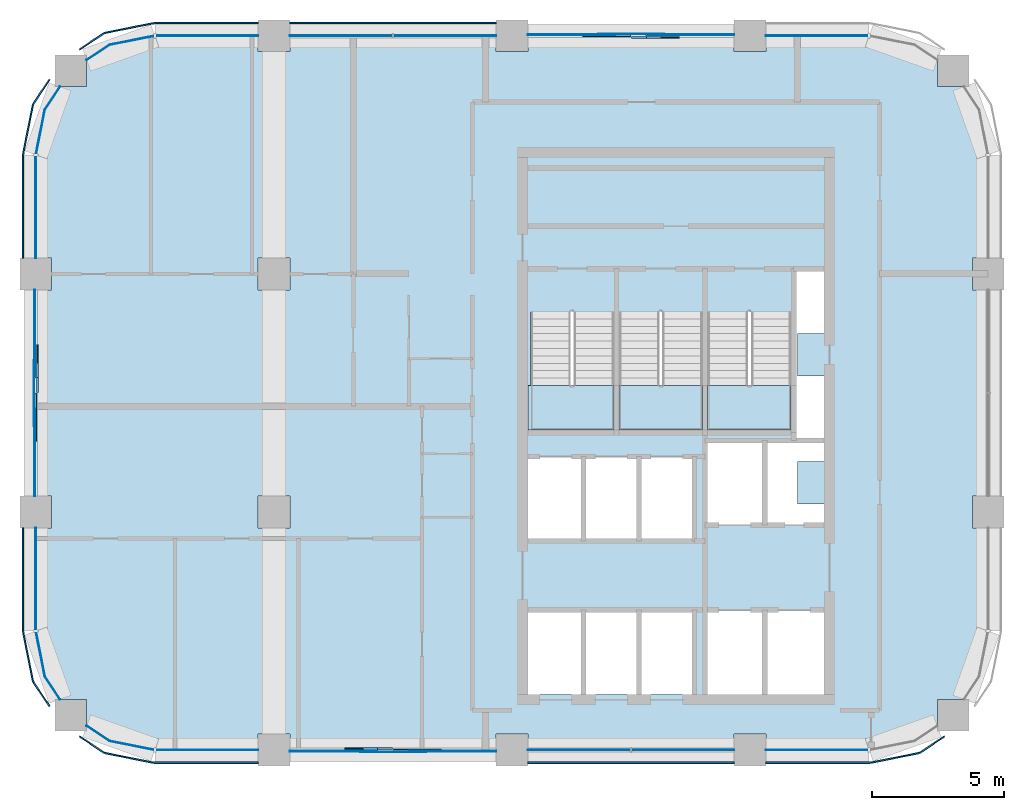
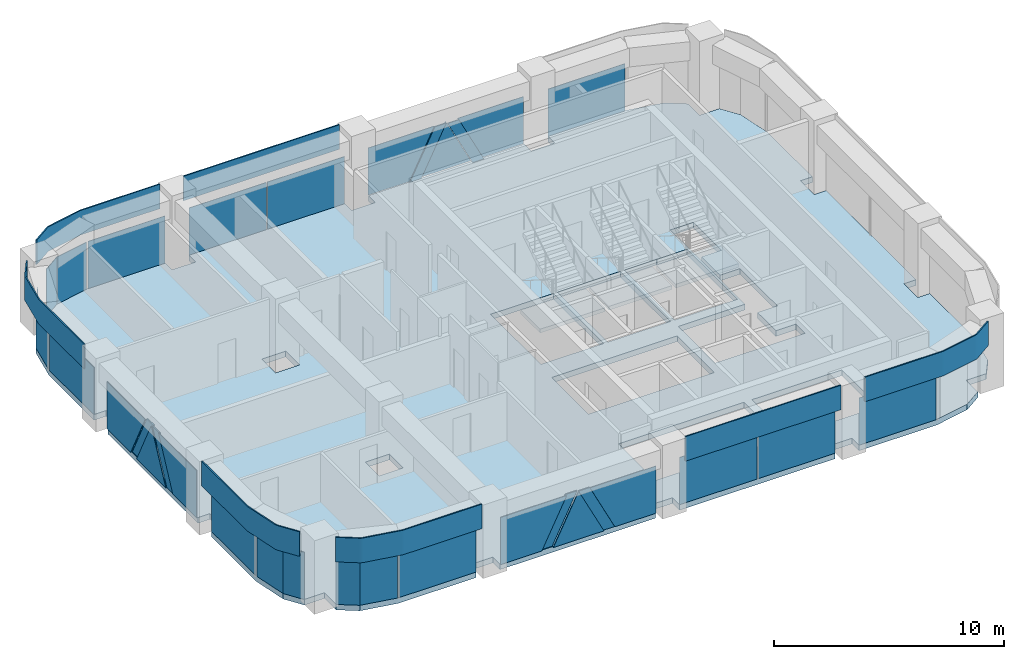
# One storey, part 6 of 10: 36 plates, 4 slabs, 14 elements without a shape of their own.
"""IFC4 building model written with IfcOpenShell, lengths in metres."""

import ifcopenshell
import ifcopenshell.guid

model = None  # the IFC model being written
_history = None  # IfcOwnerHistory: only IFC2X3 demands one
_inside = {}  # id of a spatial element -> (the spatial element, [elements in it])
_under = {}  # id of a project, library or spatial element -> (it, [spatial elements below it])
_declared = {}  # id of a project -> (the project, [libraries it declares])
_typed = {}  # id of a type object -> (the type object, [elements of that type])
_made_of = {}  # id of a material, layer set ... -> (it, [elements and type objects made of it])


def new_model(schema):
    """Start an empty IFC model of exactly this schema.

    Asked for "IFC4X3", IfcOpenShell would pick the latest addendum, in which some entities
    have other attributes; the version numbers below select the first issue.
    IFC2X3 requires an IfcOwnerHistory on every rooted entity: one is made here for all.
    """
    global model, _history
    if schema == "IFC4X3":
        model = ifcopenshell.file(schema_version=(4, 3, 0, 0))
    else:
        model = ifcopenshell.file(schema=schema)
    _inside.clear()
    _under.clear()
    _declared.clear()
    _typed.clear()
    _made_of.clear()
    _history = None
    if model.schema == "IFC2X3":
        org = make("IfcOrganization", Name="unknown")
        user = make(
            "IfcPersonAndOrganization",
            ThePerson=make("IfcPerson", FamilyName="unknown"),
            TheOrganization=org,
        )
        app = make(
            "IfcApplication",
            ApplicationDeveloper=org,
            Version="unknown",
            ApplicationFullName="unknown",
            ApplicationIdentifier="unknown",
        )
        _history = make(
            "IfcOwnerHistory",
            OwningUser=user,
            OwningApplication=app,
            ChangeAction="ADDED",
            CreationDate=0,
        )
    return model


def make(cls, **values):
    """One entity of the class cls with the attributes given. An attribute that is None is left unset."""
    return model.create_entity(
        cls, **{name: value for name, value in values.items() if value is not None}
    )


def rooted(cls, **values):
    """An entity with a GlobalId (a new one), such as an element, a storey or a relation."""
    return make(cls, GlobalId=ifcopenshell.guid.new(), OwnerHistory=_history, **values)


def si_unit(unit_type, name, prefix=None):
    """IfcSIUnit, for example si_unit("LENGTHUNIT", "METRE", prefix="MILLI")."""
    return make("IfcSIUnit", UnitType=unit_type, Prefix=prefix, Name=name)


def assignment(units):
    """IfcUnitAssignment: the units of a project."""
    return None if units is None else make("IfcUnitAssignment", Units=units)


def point(xyz):
    """IfcCartesianPoint."""
    return None if xyz is None else make("IfcCartesianPoint", Coordinates=xyz)


def direction(xyz):
    """IfcDirection."""
    return None if xyz is None else make("IfcDirection", DirectionRatios=xyz)


def frame(location, z_axis=None, x_axis=None):
    """IfcAxis2Placement3D, a coordinate frame: its origin and axes. An axis left out is left unset."""
    return make(
        "IfcAxis2Placement3D",
        Location=point(location),
        Axis=direction(z_axis),
        RefDirection=direction(x_axis),
    )


def frame_2d(location, x_axis=None):
    """IfcAxis2Placement2D, a coordinate frame in the plane: its origin and x axis."""
    return make(
        "IfcAxis2Placement2D", Location=point(location), RefDirection=direction(x_axis)
    )


def origin():
    """The frame at (0, 0, 0) with its axes left unset."""
    return frame((0.0, 0.0, 0.0))


def origin_2d():
    """The frame at (0, 0) in the plane with its x axis left unset."""
    return frame_2d((0.0, 0.0))


def place(relative_to, where):
    """IfcLocalPlacement: puts the frame where relative to a parent placement (None: the world)."""
    return make(
        "IfcLocalPlacement", PlacementRelTo=relative_to, RelativePlacement=where
    )


def context(
    kind, dimensions, precision=None, world=None, true_north=None, identifier=None
):
    """IfcGeometricRepresentationContext, for example the 3D "Model" context."""
    return make(
        "IfcGeometricRepresentationContext",
        ContextIdentifier=identifier,
        ContextType=kind,
        CoordinateSpaceDimension=dimensions,
        Precision=precision,
        WorldCoordinateSystem=world,
        TrueNorth=true_north,
    )


def subcontext(parent, identifier, kind, view, scale=None):
    """IfcGeometricRepresentationSubContext, for example "Body" below "Model"."""
    return make(
        "IfcGeometricRepresentationSubContext",
        ContextIdentifier=identifier,
        ContextType=kind,
        ParentContext=parent,
        TargetScale=scale,
        TargetView=view,
    )


def project(units=None, contexts=None):
    """IfcProject with its units and contexts."""
    return rooted(
        "IfcProject",
        Name="project",
        RepresentationContexts=contexts,
        UnitsInContext=assignment(units),
    )


def spatial(cls, under=None, at=None, **own):
    """A site, building, storey or space (cls), placed at a placement, below another one or the project."""
    s = rooted(cls, ObjectPlacement=at, **own)
    if under is not None:
        _under.setdefault(under.id(), (under, []))[1].append(s)
    return s


def polyline(points):
    """IfcPolyline through the points."""
    return make("IfcPolyline", Points=[point(p) for p in points])


def profile(cls, at=None, kind="AREA", **sizes):
    """A parametric profile (cls). Its sizes go by their IFC names, for example OverallWidth=200.0."""
    return make(cls, ProfileType=kind, Position=at, **sizes)


def rectangle(**sizes):
    """IfcRectangleProfileDef."""
    return profile("IfcRectangleProfileDef", **sizes)


def outline(outer, holes=None, kind="AREA"):
    """IfcArbitraryClosedProfileDef: a profile drawn as a closed curve; with holes, ...WithVoids."""
    if holes is None:
        return make("IfcArbitraryClosedProfileDef", ProfileType=kind, OuterCurve=outer)
    return make(
        "IfcArbitraryProfileDefWithVoids",
        ProfileType=kind,
        OuterCurve=outer,
        InnerCurves=holes,
    )


def extrude(swept, where, along, depth):
    """IfcExtrudedAreaSolid: the profile swept, set in the frame where, extruded along a direction by depth."""
    return make(
        "IfcExtrudedAreaSolid",
        SweptArea=swept,
        Position=where,
        ExtrudedDirection=direction(along),
        Depth=depth,
    )


def shape(context_of_items, identifier, shape_type, items):
    """IfcShapeRepresentation: the items that make up one representation, for example the "Body"."""
    return make(
        "IfcShapeRepresentation",
        ContextOfItems=context_of_items,
        RepresentationIdentifier=identifier,
        RepresentationType=shape_type,
        Items=items,
    )


def material(Name=None, Category=None):
    """IfcMaterial."""
    return make("IfcMaterial", Name=Name, Category=Category)


def layer(
    of_material, thickness, ventilated=None, Name=None, Category=None, Priority=None
):
    """IfcMaterialLayer: one layer of a wall or slab, of a material (None: an air gap)."""
    return make(
        "IfcMaterialLayer",
        Material=of_material,
        LayerThickness=thickness,
        IsVentilated=ventilated,
        Name=Name,
        Category=Category,
        Priority=Priority,
    )


def layer_set(layers, Name=None):
    """IfcMaterialLayerSet."""
    return make("IfcMaterialLayerSet", MaterialLayers=layers, LayerSetName=Name)


def made_of(thing, what):
    """Note that an element or type object is made of a material, layer set ...; save() writes the relation."""
    if what is not None:
        _made_of.setdefault(what.id(), (what, []))[1].append(thing)
    return thing


def type_object(cls, material=None, **own):
    """A type object (cls), such as IfcWallType, which elements share."""
    return made_of(rooted(cls, **own), material)


def element(
    cls,
    number,
    at=None,
    inside=None,
    cuts=None,
    type_object=None,
    material=None,
    context=None,
    identifier="Body",
    shape_type=None,
    held_by="IfcProductDefinitionShape",
    body=None,
    shapes=None,
    **own,
):
    """One element of the class cls, such as IfcWall. Its Tag is "e" and its number.

    at: its placement. inside: the storey or other place that contains it. cuts: it is an
    opening in that element (IfcRelVoidsElement). A single representation is given by context,
    identifier, shape_type and body (its items); several are given by shapes. held_by: the class
    of the entity that holds the representations. save() writes the other relations.
    """
    e = rooted(cls, Tag="e%d" % number, ObjectPlacement=at, **own)
    if body is not None:
        shapes = [shape(context, identifier, shape_type, body)]
    if shapes is not None:
        e.Representation = make(held_by, Representations=shapes)
    if inside is not None:
        _inside.setdefault(inside.id(), (inside, []))[1].append(e)
    if cuts is not None:
        rooted(
            "IfcRelVoidsElement", RelatingBuildingElement=cuts, RelatedOpeningElement=e
        )
    if type_object is not None:
        _typed.setdefault(type_object.id(), (type_object, []))[1].append(e)
    return made_of(e, material)


def aggregate(whole, parts):
    """IfcRelAggregates: a whole, such as a stair, and the parts it consists of."""
    return rooted("IfcRelAggregates", RelatingObject=whole, RelatedObjects=parts)


def save(model, path):
    """Write the relations noted so far, then the file.

    IfcRelAggregates (storeys below a building ...), IfcRelContainedInSpatialStructure (elements
    in a storey), IfcRelDefinesByType, IfcRelAssociatesMaterial and IfcRelDeclares: one each for
    every whole, place, type object, material and project.
    """
    for whole, parts in _under.values():
        aggregate(whole, parts)
    for where, things in _inside.values():
        rooted(
            "IfcRelContainedInSpatialStructure",
            RelatedElements=things,
            RelatingStructure=where,
        )
    for kind, things in _typed.values():
        rooted("IfcRelDefinesByType", RelatedObjects=things, RelatingType=kind)
    for what, things in _made_of.values():
        rooted("IfcRelAssociatesMaterial", RelatedObjects=things, RelatingMaterial=what)
    for by, libraries in _declared.values():
        rooted("IfcRelDeclares", RelatingContext=by, RelatedDefinitions=libraries)
    model.write(path)


model = new_model("IFC4")

# Units and contexts
model_context = context("Model", 3, precision=1e-05, world=origin(), true_north=direction((0.0, 1.0)))
body_context = subcontext(model_context, "Body", "Model", "MODEL_VIEW")
ifc_project = project(units=[si_unit("LENGTHUNIT", "METRE"), si_unit("AREAUNIT", "SQUARE_METRE"), si_unit("VOLUMEUNIT", "CUBIC_METRE"), si_unit("PLANEANGLEUNIT", "RADIAN"), si_unit("MASSUNIT", "GRAM", prefix="KILO")], contexts=[model_context])

# Site, building, storey
site_placement = place(None, origin())
site = spatial("IfcSite", under=ifc_project, at=site_placement, CompositionType="ELEMENT")
building_placement = place(site_placement, origin())
building = spatial("IfcBuilding", under=site, at=building_placement, Name="Tessera Arch", CompositionType="ELEMENT")
storey_placement = place(building_placement, frame((0.0, 0.0, 254.0)))
storey = spatial("IfcBuildingStorey", under=building, at=storey_placement, Name="L61", CompositionType="ELEMENT", Elevation=254.0)

# Curtain wall, plates
ifc_material_1 = material(Name="CW1 curtain wall")
curtain_wall_type_1 = type_object("IfcCurtainWallType", Name="CW1 curtain wall", PredefinedType="NOTDEFINED", material=ifc_material_1)
curtain_wall_1_placement = place(storey_placement, origin())
curtain_wall_1 = element("IfcCurtainWall", 1, at=curtain_wall_1_placement, inside=storey, type_object=curtain_wall_type_1, Name="CW1 curtain wall N54.18/2 L61", PredefinedType="NOTDEFINED")
ifc_material_2 = material(Name="Clear low-e glass", Category="glass")
ifc_material_3 = material(Name="Clear low-e glass", Category="glass")
ifc_layer_1 = layer(ifc_material_3, 0.028076171875)
ifc_layer_set_1 = layer_set([ifc_layer_1], Name="CW1 glass panel")
plate_type_1 = type_object("IfcPlateType", Name="CW1 glass panel", PredefinedType="CURTAIN_PANEL", material=ifc_layer_set_1)
plate_1_placement = place(storey_placement, frame((33.465087890625, 54.0, 0.0), z_axis=(0.0, 0.0, 1.0), x_axis=(-1.0, 0.0, 0.0)))
plate_1 = element("IfcPlate", 2, at=plate_1_placement, type_object=plate_type_1, material=ifc_material_2, Name="CW1 glass panel N54.18/2 1.1.1", PredefinedType="CURTAIN_PANEL", context=body_context, shape_type="SweptSolid", body=[
    extrude(rectangle(XDim=3.8701171875, YDim=0.028076171875, at=origin_2d()), origin(), (0.0, 0.0, 1.0), 2.5),
])
plate_2_placement = place(storey_placement, frame((29.534912109375, 54.0, 0.0), z_axis=(0.0, 0.0, 1.0), x_axis=(-1.0, 0.0, 0.0)))
plate_2 = element("IfcPlate", 3, at=plate_2_placement, type_object=plate_type_1, material=ifc_material_2, Name="CW1 glass panel N54.18/2 1.2.1", PredefinedType="CURTAIN_PANEL", context=body_context, shape_type="SweptSolid", body=[
    extrude(rectangle(XDim=3.8701171875, YDim=0.028076171875, at=origin_2d()), origin(), (0.0, 0.0, 1.0), 2.5),
])

curtain_wall_2_placement = place(storey_placement, origin())
curtain_wall_2 = element("IfcCurtainWall", 4, at=curtain_wall_2_placement, inside=storey, type_object=curtain_wall_type_1, Name="CW1 curtain wall S27.18/2 L61", PredefinedType="NOTDEFINED")
plate_3_placement = place(storey_placement, frame((38.534912109375, 27.0, 0.0), z_axis=(0.0, 0.0, 1.0), x_axis=(1.0, 0.0, 0.0)))
plate_3 = element("IfcPlate", 5, at=plate_3_placement, type_object=plate_type_1, material=ifc_material_2, Name="CW1 glass panel S27.18/2 1.1.1", PredefinedType="CURTAIN_PANEL", context=body_context, shape_type="SweptSolid", body=[
    extrude(rectangle(XDim=3.8701171875, YDim=0.028076171875, at=origin_2d()), origin(), (0.0, 0.0, 1.0), 2.5),
])
plate_4_placement = place(storey_placement, frame((42.465087890625, 27.0, 0.0), z_axis=(0.0, 0.0, 1.0), x_axis=(1.0, 0.0, 0.0)))
plate_4 = element("IfcPlate", 6, at=plate_4_placement, type_object=plate_type_1, material=ifc_material_2, Name="CW1 glass panel S27.18/2 1.2.1", PredefinedType="CURTAIN_PANEL", context=body_context, shape_type="SweptSolid", body=[
    extrude(rectangle(XDim=3.8701171875, YDim=0.028076171875, at=origin_2d()), origin(), (0.0, 0.0, 1.0), 2.5),
])

# Plate
ifc_material_4 = material(Name="Pale anodised aluminium panel", Category="aluminium")
ifc_layer_2 = layer(ifc_material_4, 0.06005859375)
ifc_layer_set_2 = layer_set([ifc_layer_2], Name="CW1 spandrel panel")
plate_type_2 = type_object("IfcPlateType", Name="CW1 spandrel panel", PredefinedType="CURTAIN_PANEL", material=ifc_layer_set_2)
plate_5_placement = place(storey_placement, frame((31.5, 54.47998046875, 2.60009765625), z_axis=(0.0, 0.0, 1.0), x_axis=(-1.0, 0.0, 0.0)))
plate_5 = element("IfcPlate", 7, at=plate_5_placement, type_object=plate_type_2, Name="CW1 spandrel panel N54.18/2", PredefinedType="CURTAIN_PANEL", context=body_context, shape_type="SweptSolid", body=[
    extrude(rectangle(XDim=7.800048828125, YDim=0.06005859375, at=origin_2d()), origin(), (0.0, 0.0, 1.0), 1.300048828125),
])

aggregate(curtain_wall_1, [plate_1, plate_2, plate_5])

plate_6_placement = place(storey_placement, frame((40.5, 26.52001953125, 2.60009765625), z_axis=(0.0, 0.0, 1.0), x_axis=(1.0, 0.0, 0.0)))
plate_6 = element("IfcPlate", 8, at=plate_6_placement, type_object=plate_type_2, Name="CW1 spandrel panel S27.18/2", PredefinedType="CURTAIN_PANEL", context=body_context, shape_type="SweptSolid", body=[
    extrude(rectangle(XDim=7.800048828125, YDim=0.06005859375, at=origin_2d()), origin(), (0.0, 0.0, 1.0), 1.300048828125),
])

aggregate(curtain_wall_2, [plate_3, plate_4, plate_6])

# Curtain wall, plate
ifc_material_5 = material(Name="CW2 curtain wall")
curtain_wall_type_2 = type_object("IfcCurtainWallType", Name="CW2 curtain wall", PredefinedType="NOTDEFINED", material=ifc_material_5)
curtain_wall_3_placement = place(storey_placement, origin())
curtain_wall_3 = element("IfcCurtainWall", 9, at=curtain_wall_3_placement, inside=storey, type_object=curtain_wall_type_2, Name="CW2 curtain wall N54.18/0 L61", PredefinedType="NOTDEFINED")
ifc_material_6 = material(Name="Clear low-e glass", Category="glass")
ifc_layer_3 = layer(ifc_material_6, 0.028076171875)
ifc_layer_set_3 = layer_set([ifc_layer_3], Name="CW2 glass panel")
plate_type_3 = type_object("IfcPlateType", Name="CW2 glass panel", PredefinedType="CURTAIN_PANEL", material=ifc_layer_set_3)
plate_7_placement = place(storey_placement, frame((47.530029296875, 54.0, 0.0), z_axis=(0.0, 0.0, 1.0), x_axis=(-1.0, 0.0, 0.0)))
plate_7 = element("IfcPlate", 10, at=plate_7_placement, type_object=plate_type_3, material=ifc_material_2, Name="CW2 glass panel N54.18/0 1.1", PredefinedType="CURTAIN_PANEL", context=body_context, shape_type="SweptSolid", body=[
    extrude(rectangle(XDim=3.860107421875, YDim=0.028076171875, at=origin_2d()), origin(), (0.0, 0.0, 1.0), 2.5),
])
aggregate(curtain_wall_3, [plate_7])

# Curtain wall, plates
curtain_wall_4_placement = place(storey_placement, origin())
curtain_wall_4 = element("IfcCurtainWall", 11, at=curtain_wall_4_placement, inside=storey, type_object=curtain_wall_type_2, Name="CW2 curtain wall N54.18/3 L61", PredefinedType="NOTDEFINED")
plate_8_placement = place(storey_placement, frame((24.469970703125, 54.0, 0.0), z_axis=(0.0, 0.0, 1.0), x_axis=(-1.0, 0.0, 0.0)))
plate_8 = element("IfcPlate", 12, at=plate_8_placement, type_object=plate_type_3, material=ifc_material_2, Name="CW2 glass panel N54.18/3 1.1", PredefinedType="CURTAIN_PANEL", context=body_context, shape_type="SweptSolid", body=[
    extrude(rectangle(XDim=3.860107421875, YDim=0.028076171875, at=origin_2d()), origin(), (0.0, 0.0, 1.0), 2.5),
])
plate_9_placement = place(storey_placement, origin())
plate_9 = element("IfcPlate", 13, at=plate_9_placement, type_object=plate_type_3, material=ifc_material_2, Name="CW2 curved glass panel N54.18/3 2.1", PredefinedType="CURTAIN_PANEL", context=body_context, shape_type="SweptSolid", body=[
    extrude(outline(polyline([(20.783447265625, 53.644287109375), (22.46337890625, 53.978515625), (22.4580078125, 54.005859375), (20.7724609375, 53.670654296875), (19.91015625, 53.094482421875), (19.92578125, 53.0712890625), (20.783447265625, 53.644287109375)])), origin(), (0.0, 0.0, 1.0), 2.5),
])

curtain_wall_5_placement = place(storey_placement, origin())
curtain_wall_5 = element("IfcCurtainWall", 14, at=curtain_wall_5_placement, inside=storey, type_object=curtain_wall_type_2, Name="CW2 curtain wall W18.27/0 L61", PredefinedType="NOTDEFINED")
plate_10_placement = place(storey_placement, frame((18.0, 47.530029296875, 0.0), z_axis=(0.0, 0.0, 1.0), x_axis=(0.0, -1.0, 0.0)))
plate_10 = element("IfcPlate", 15, at=plate_10_placement, type_object=plate_type_3, material=ifc_material_2, Name="CW2 glass panel W18.27/0 1.1", PredefinedType="CURTAIN_PANEL", context=body_context, shape_type="SweptSolid", body=[
    extrude(rectangle(XDim=3.860107421875, YDim=0.028076171875, at=origin_2d()), origin(), (0.0, 0.0, 1.0), 2.5),
])
plate_11_placement = place(storey_placement, origin())
plate_11 = element("IfcPlate", 16, at=plate_11_placement, type_object=plate_type_3, material=ifc_material_2, Name="CW2 curved glass panel W18.27/0 2.1", PredefinedType="CURTAIN_PANEL", context=body_context, shape_type="SweptSolid", body=[
    extrude(outline(polyline([(18.355712890625, 51.216552734375), (18.9287109375, 52.07421875), (18.905517578125, 52.08984375), (18.329345703125, 51.2275390625), (17.994140625, 49.5419921875), (18.021484375, 49.53662109375), (18.355712890625, 51.216552734375)])), origin(), (0.0, 0.0, 1.0), 2.5),
])

curtain_wall_6_placement = place(storey_placement, origin())
curtain_wall_6 = element("IfcCurtainWall", 17, at=curtain_wall_6_placement, inside=storey, type_object=curtain_wall_type_2, Name="CW2 curtain wall W18.27/2 L61", PredefinedType="NOTDEFINED")
plate_12_placement = place(storey_placement, frame((18.0, 33.469970703125, 0.0), z_axis=(0.0, 0.0, 1.0), x_axis=(0.0, -1.0, 0.0)))
plate_12 = element("IfcPlate", 18, at=plate_12_placement, type_object=plate_type_3, material=ifc_material_2, Name="CW2 glass panel W18.27/2 1.1", PredefinedType="CURTAIN_PANEL", context=body_context, shape_type="SweptSolid", body=[
    extrude(rectangle(XDim=3.860107421875, YDim=0.028076171875, at=origin_2d()), origin(), (0.0, 0.0, 1.0), 2.5),
])
plate_13_placement = place(storey_placement, origin())
plate_13 = element("IfcPlate", 19, at=plate_13_placement, type_object=plate_type_3, material=ifc_material_2, Name="CW2 curved glass panel W18.27/2 2.1", PredefinedType="CURTAIN_PANEL", context=body_context, shape_type="SweptSolid", body=[
    extrude(outline(polyline([(18.355712890625, 29.783447265625), (18.021484375, 31.46337890625), (17.994140625, 31.4580078125), (18.329345703125, 29.7724609375), (18.905517578125, 28.91015625), (18.9287109375, 28.92578125), (18.355712890625, 29.783447265625)])), origin(), (0.0, 0.0, 1.0), 2.5),
])

curtain_wall_7_placement = place(storey_placement, origin())
curtain_wall_7 = element("IfcCurtainWall", 20, at=curtain_wall_7_placement, inside=storey, type_object=curtain_wall_type_2, Name="CW2 curtain wall S27.18/0 L61", PredefinedType="NOTDEFINED")
plate_14_placement = place(storey_placement, frame((24.469970703125, 27.0, 0.0), z_axis=(0.0, 0.0, 1.0), x_axis=(1.0, 0.0, 0.0)))
plate_14 = element("IfcPlate", 21, at=plate_14_placement, type_object=plate_type_3, material=ifc_material_2, Name="CW2 glass panel S27.18/0 1.1", PredefinedType="CURTAIN_PANEL", context=body_context, shape_type="SweptSolid", body=[
    extrude(rectangle(XDim=3.860107421875, YDim=0.028076171875, at=origin_2d()), origin(), (0.0, 0.0, 1.0), 2.5),
])
plate_15_placement = place(storey_placement, origin())
plate_15 = element("IfcPlate", 22, at=plate_15_placement, type_object=plate_type_3, material=ifc_material_2, Name="CW2 curved glass panel S27.18/0 2.1", PredefinedType="CURTAIN_PANEL", context=body_context, shape_type="SweptSolid", body=[
    extrude(outline(polyline([(20.783447265625, 27.355712890625), (19.92578125, 27.9287109375), (19.91015625, 27.905517578125), (20.7724609375, 27.329345703125), (22.4580078125, 26.994140625), (22.46337890625, 27.021484375), (20.783447265625, 27.355712890625)])), origin(), (0.0, 0.0, 1.0), 2.5),
])

# Curtain wall, plate
curtain_wall_8_placement = place(storey_placement, origin())
curtain_wall_8 = element("IfcCurtainWall", 23, at=curtain_wall_8_placement, inside=storey, type_object=curtain_wall_type_2, Name="CW2 curtain wall S27.18/3 L61", PredefinedType="NOTDEFINED")
plate_16_placement = place(storey_placement, frame((47.530029296875, 27.0, 0.0), z_axis=(0.0, 0.0, 1.0), x_axis=(1.0, 0.0, 0.0)))
plate_16 = element("IfcPlate", 24, at=plate_16_placement, type_object=plate_type_3, material=ifc_material_2, Name="CW2 glass panel S27.18/3 1.1", PredefinedType="CURTAIN_PANEL", context=body_context, shape_type="SweptSolid", body=[
    extrude(rectangle(XDim=3.860107421875, YDim=0.028076171875, at=origin_2d()), origin(), (0.0, 0.0, 1.0), 2.5),
])

# Plate
ifc_material_7 = material(Name="Pale anodised aluminium panel", Category="aluminium")
ifc_layer_4 = layer(ifc_material_7, 0.06005859375)
ifc_layer_set_4 = layer_set([ifc_layer_4], Name="CW2 spandrel panel")
plate_type_4 = type_object("IfcPlateType", Name="CW2 spandrel panel", PredefinedType="CURTAIN_PANEL", material=ifc_layer_set_4)
plate_17_placement = place(storey_placement, frame((0.0, 0.0, 2.60009765625)))
plate_17 = element("IfcPlate", 25, at=plate_17_placement, type_object=plate_type_4, Name="CW2 spandrel panel N54.18/3", PredefinedType="CURTAIN_PANEL", context=body_context, shape_type="SweptSolid", body=[
    extrude(outline(polyline([(22.500732421875, 54.449951171875), (26.39990234375, 54.449951171875), (26.39990234375, 54.510009765625), (22.499267578125, 54.510009765625), (22.449951171875, 54.507568359375), (22.401123046875, 54.500244140625), (20.677734375, 54.157470703125), (20.6298828125, 54.1455078125), (20.582763671875, 54.128662109375), (20.537353515625, 54.107421875), (20.4951171875, 54.08203125), (19.634765625, 53.5068359375), (19.66796875, 53.45703125), (20.52734375, 54.03125), (20.565673828125, 54.054443359375), (20.605712890625, 54.0732421875), (20.647216796875, 54.088134765625), (20.69091796875, 54.09912109375), (22.411376953125, 54.441162109375), (22.455810546875, 54.44775390625), (22.500732421875, 54.449951171875)])), origin(), (0.0, 0.0, 1.0), 1.2998046875),
])

aggregate(curtain_wall_4, [plate_8, plate_9, plate_17])

plate_18_placement = place(storey_placement, frame((0.0, 0.0, 2.60009765625)))
plate_18 = element("IfcPlate", 26, at=plate_18_placement, type_object=plate_type_4, Name="CW2 spandrel panel W18.27/0", PredefinedType="CURTAIN_PANEL", context=body_context, shape_type="SweptSolid", body=[
    extrude(outline(polyline([(17.96875, 51.47265625), (18.54296875, 52.33203125), (18.4931640625, 52.365234375), (17.91796875, 51.5048828125), (17.892578125, 51.462646484375), (17.871337890625, 51.417236328125), (17.8544921875, 51.3701171875), (17.842529296875, 51.322265625), (17.499755859375, 49.598876953125), (17.492431640625, 49.550048828125), (17.489990234375, 49.500732421875), (17.489990234375, 45.60009765625), (17.550048828125, 45.60009765625), (17.550048828125, 49.499267578125), (17.55224609375, 49.544189453125), (17.558837890625, 49.588623046875), (17.90087890625, 51.30908203125), (17.911865234375, 51.352783203125), (17.9267578125, 51.394287109375), (17.945556640625, 51.434326171875), (17.96875, 51.47265625)])), origin(), (0.0, 0.0, 1.0), 1.2998046875),
])

aggregate(curtain_wall_5, [plate_10, plate_11, plate_18])

plate_19_placement = place(storey_placement, frame((0.0, 0.0, 2.60009765625)))
plate_19 = element("IfcPlate", 27, at=plate_19_placement, type_object=plate_type_4, Name="CW2 spandrel panel W18.27/2", PredefinedType="CURTAIN_PANEL", context=body_context, shape_type="SweptSolid", body=[
    extrude(outline(polyline([(17.550048828125, 31.500732421875), (17.550048828125, 35.39990234375), (17.489990234375, 35.39990234375), (17.489990234375, 31.499267578125), (17.492431640625, 31.449951171875), (17.499755859375, 31.401123046875), (17.842529296875, 29.677734375), (17.8544921875, 29.6298828125), (17.871337890625, 29.582763671875), (17.892578125, 29.537353515625), (17.91796875, 29.4951171875), (18.4931640625, 28.634765625), (18.54296875, 28.66796875), (17.96875, 29.52734375), (17.945556640625, 29.565673828125), (17.9267578125, 29.605712890625), (17.911865234375, 29.647216796875), (17.90087890625, 29.69091796875), (17.558837890625, 31.411376953125), (17.55224609375, 31.455810546875), (17.550048828125, 31.500732421875)])), origin(), (0.0, 0.0, 1.0), 1.2998046875),
])

aggregate(curtain_wall_6, [plate_12, plate_13, plate_19])

plate_20_placement = place(storey_placement, frame((0.0, 0.0, 2.60009765625)))
plate_20 = element("IfcPlate", 28, at=plate_20_placement, type_object=plate_type_4, Name="CW2 spandrel panel S27.18/0", PredefinedType="CURTAIN_PANEL", context=body_context, shape_type="SweptSolid", body=[
    extrude(outline(polyline([(20.52734375, 26.96875), (19.66796875, 27.54296875), (19.634765625, 27.4931640625), (20.4951171875, 26.91796875), (20.537353515625, 26.892578125), (20.582763671875, 26.871337890625), (20.6298828125, 26.8544921875), (20.677734375, 26.842529296875), (22.401123046875, 26.499755859375), (22.449951171875, 26.492431640625), (22.499267578125, 26.489990234375), (26.39990234375, 26.489990234375), (26.39990234375, 26.550048828125), (22.500732421875, 26.550048828125), (22.455810546875, 26.55224609375), (22.411376953125, 26.558837890625), (20.69091796875, 26.90087890625), (20.647216796875, 26.911865234375), (20.605712890625, 26.9267578125), (20.565673828125, 26.945556640625), (20.52734375, 26.96875)])), origin(), (0.0, 0.0, 1.0), 1.2998046875),
])

aggregate(curtain_wall_7, [plate_14, plate_15, plate_20])

plate_21_placement = place(storey_placement, frame((0.0, 0.0, 2.60009765625)))
plate_21 = element("IfcPlate", 29, at=plate_21_placement, type_object=plate_type_4, Name="CW2 spandrel panel S27.18/3", PredefinedType="CURTAIN_PANEL", context=body_context, shape_type="SweptSolid", body=[
    extrude(outline(polyline([(49.499267578125, 26.550048828125), (45.60009765625, 26.550048828125), (45.60009765625, 26.489990234375), (49.500732421875, 26.489990234375), (49.550048828125, 26.492431640625), (49.598876953125, 26.499755859375), (51.322265625, 26.842529296875), (51.3701171875, 26.8544921875), (51.417236328125, 26.871337890625), (51.462646484375, 26.892578125), (51.5048828125, 26.91796875), (52.365234375, 27.4931640625), (52.33203125, 27.54296875), (51.47265625, 26.96875), (51.434326171875, 26.945556640625), (51.394287109375, 26.9267578125), (51.352783203125, 26.911865234375), (51.30908203125, 26.90087890625), (49.588623046875, 26.558837890625), (49.544189453125, 26.55224609375), (49.499267578125, 26.550048828125)])), origin(), (0.0, 0.0, 1.0), 1.2998046875),
])

aggregate(curtain_wall_8, [plate_16, plate_21])

# Curtain wall, plates
ifc_material_8 = material(Name="CW3 curtain wall")
curtain_wall_type_3 = type_object("IfcCurtainWallType", Name="CW3 curtain wall", PredefinedType="NOTDEFINED", material=ifc_material_8)
curtain_wall_9_placement = place(storey_placement, origin())
curtain_wall_9 = element("IfcCurtainWall", 30, at=curtain_wall_9_placement, inside=storey, type_object=curtain_wall_type_3, Name="CW3 curtain wall N54.18/1 L61", PredefinedType="NOTDEFINED")
ifc_material_9 = material(Name="Pale anodised aluminium panel", Category="aluminium")
ifc_layer_5 = layer(ifc_material_9, 0.06005859375)
ifc_layer_set_5 = layer_set([ifc_layer_5], Name="CW3 diagonal panel")
plate_type_5 = type_object("IfcPlateType", Name="CW3 diagonal panel", PredefinedType="CURTAIN_PANEL", material=ifc_layer_set_5)
plate_22_placement = place(storey_placement, frame((39.917724609375, 54.030029296875, 2.5), z_axis=(0.0, 1.0, 0.0), x_axis=(1.0, 0.0, 0.0)))
plate_22 = element("IfcPlate", 31, at=plate_22_placement, type_object=plate_type_5, Name="CW3 diagonal panel N54.18/1 1", PredefinedType="CURTAIN_PANEL", context=body_context, shape_type="SweptSolid", body=[
    extrude(outline(polyline([(0.0, 0.0), (0.564453125, 0.0), (-0.685546875, 2.5), (-1.25, 2.5), (0.0, 0.0)])), origin(), (0.0, 0.0, -1.0), 0.06005859375),
])
plate_23_placement = place(storey_placement, frame((40.517822265625, 53.969970703125, 2.5), z_axis=(0.0, 1.0, 0.0), x_axis=(1.0, 0.0, 0.0)))
plate_23 = element("IfcPlate", 32, at=plate_23_placement, type_object=plate_type_5, Name="CW3 diagonal panel N54.18/1 2", PredefinedType="CURTAIN_PANEL", context=body_context, shape_type="SweptSolid", body=[
    extrude(outline(polyline([(0.0, 0.0), (0.564453125, 0.0), (1.814453125, 2.5), (1.25, 2.5), (0.0, 0.0)])), origin(), (0.0, 0.0, -1.0), 0.06005859375),
])

curtain_wall_10_placement = place(storey_placement, origin())
curtain_wall_10 = element("IfcCurtainWall", 33, at=curtain_wall_10_placement, inside=storey, type_object=curtain_wall_type_3, Name="CW3 curtain wall W18.27/1 L61", PredefinedType="NOTDEFINED")
plate_24_placement = place(storey_placement, frame((17.969970703125, 39.917724609375, 2.5), z_axis=(-1.0, 0.0, 0.0), x_axis=(0.0, 1.0, 0.0)))
plate_24 = element("IfcPlate", 34, at=plate_24_placement, type_object=plate_type_5, Name="CW3 diagonal panel W18.27/1 1", PredefinedType="CURTAIN_PANEL", context=body_context, shape_type="SweptSolid", body=[
    extrude(outline(polyline([(0.0, 0.0), (0.564453125, 0.0), (-0.685546875, 2.5), (-1.25, 2.5), (0.0, 0.0)])), origin(), (0.0, 0.0, -1.0), 0.06005859375),
])
plate_25_placement = place(storey_placement, frame((18.030029296875, 40.517822265625, 2.5), z_axis=(-1.0, 0.0, 0.0), x_axis=(0.0, 1.0, 0.0)))
plate_25 = element("IfcPlate", 35, at=plate_25_placement, type_object=plate_type_5, Name="CW3 diagonal panel W18.27/1 2", PredefinedType="CURTAIN_PANEL", context=body_context, shape_type="SweptSolid", body=[
    extrude(outline(polyline([(0.0, 0.0), (0.564453125, 0.0), (1.814453125, 2.5), (1.25, 2.5), (0.0, 0.0)])), origin(), (0.0, 0.0, -1.0), 0.06005859375),
])

curtain_wall_11_placement = place(storey_placement, origin())
curtain_wall_11 = element("IfcCurtainWall", 36, at=curtain_wall_11_placement, inside=storey, type_object=curtain_wall_type_3, Name="CW3 curtain wall S27.18/1 L61", PredefinedType="NOTDEFINED")
plate_26_placement = place(storey_placement, frame((32.082275390625, 26.969970703125, 2.5), z_axis=(0.0, -1.0, 0.0), x_axis=(-1.0, 0.0, 0.0)))
plate_26 = element("IfcPlate", 37, at=plate_26_placement, type_object=plate_type_5, Name="CW3 diagonal panel S27.18/1 1", PredefinedType="CURTAIN_PANEL", context=body_context, shape_type="SweptSolid", body=[
    extrude(outline(polyline([(0.0, 0.0), (0.564453125, 0.0), (-0.685546875, 2.5), (-1.25, 2.5), (0.0, 0.0)])), origin(), (0.0, 0.0, -1.0), 0.06005859375),
])
plate_27_placement = place(storey_placement, frame((31.482177734375, 27.030029296875, 2.5), z_axis=(0.0, -1.0, 0.0), x_axis=(-1.0, 0.0, 0.0)))
plate_27 = element("IfcPlate", 38, at=plate_27_placement, type_object=plate_type_5, Name="CW3 diagonal panel S27.18/1 2", PredefinedType="CURTAIN_PANEL", context=body_context, shape_type="SweptSolid", body=[
    extrude(outline(polyline([(0.0, 0.0), (0.564453125, 0.0), (1.814453125, 2.5), (1.25, 2.5), (0.0, 0.0)])), origin(), (0.0, 0.0, -1.0), 0.06005859375),
])

# Plate
ifc_material_10 = material(Name="Clear low-e glass", Category="glass")
ifc_layer_6 = layer(ifc_material_10, 0.028076171875)
ifc_layer_set_6 = layer_set([ifc_layer_6], Name="CW3 glass panel")
plate_type_6 = type_object("IfcPlateType", Name="CW3 glass panel", PredefinedType="CURTAIN_PANEL", material=ifc_layer_set_6)
plate_28_placement = place(storey_placement, frame((44.39990234375, 54.05810546875, 0.0), z_axis=(0.0, 1.0, 0.0), x_axis=(-1.0, 0.0, 0.0)))
plate_28 = element("IfcPlate", 39, at=plate_28_placement, type_object=plate_type_6, material=ifc_material_2, Name="CW3 triangulated glass panel N54.18/1 1", PredefinedType="CURTAIN_PANEL", context=body_context, shape_type="SweptSolid", body=[
    extrude(outline(polyline([(0.0, 0.0), (2.067626953125, 0.0), (3.317626953125, 2.5), (0.0, 2.5), (0.0, 0.0)])), origin(), (0.0, 0.0, -1.0), 0.028076171875),
])

plate_29_placement = place(storey_placement, frame((40.482177734375, 54.0859375, 2.5), z_axis=(0.0, 1.0, 0.0), x_axis=(1.0, 0.0, 0.0)))
plate_29 = element("IfcPlate", 40, at=plate_29_placement, type_object=plate_type_6, material=ifc_material_2, Name="CW3 triangulated glass panel N54.18/1 2", PredefinedType="CURTAIN_PANEL", context=body_context, shape_type="SweptSolid", body=[
    extrude(outline(polyline([(0.0, 0.0), (0.03564453125, 0.0), (1.28564453125, 2.5), (-1.25, 2.5), (0.0, 0.0)])), origin(), (0.0, 0.0, -1.0), 0.028076171875),
])

plate_30_placement = place(storey_placement, frame((36.60009765625, 54.05810546875, 2.5), z_axis=(0.0, 1.0, 0.0), x_axis=(1.0, 0.0, 0.0)))
plate_30 = element("IfcPlate", 41, at=plate_30_placement, type_object=plate_type_6, material=ifc_material_2, Name="CW3 triangulated glass panel N54.18/1 3", PredefinedType="CURTAIN_PANEL", context=body_context, shape_type="SweptSolid", body=[
    extrude(outline(polyline([(0.0, 0.0), (3.317626953125, 0.0), (2.067626953125, 2.5), (0.0, 2.5), (0.0, 0.0)])), origin(), (0.0, 0.0, -1.0), 0.028076171875),
])

aggregate(curtain_wall_9, [plate_28, plate_29, plate_30, plate_22, plate_23])

plate_31_placement = place(storey_placement, frame((17.94189453125, 44.39990234375, 0.0), z_axis=(-1.0, 0.0, 0.0), x_axis=(0.0, -1.0, 0.0)))
plate_31 = element("IfcPlate", 42, at=plate_31_placement, type_object=plate_type_6, material=ifc_material_2, Name="CW3 triangulated glass panel W18.27/1 1", PredefinedType="CURTAIN_PANEL", context=body_context, shape_type="SweptSolid", body=[
    extrude(outline(polyline([(0.0, 0.0), (2.067626953125, 0.0), (3.317626953125, 2.5), (0.0, 2.5), (0.0, 0.0)])), origin(), (0.0, 0.0, -1.0), 0.028076171875),
])

plate_32_placement = place(storey_placement, frame((17.9140625, 40.482177734375, 2.5), z_axis=(-1.0, 0.0, 0.0), x_axis=(0.0, 1.0, 0.0)))
plate_32 = element("IfcPlate", 43, at=plate_32_placement, type_object=plate_type_6, material=ifc_material_2, Name="CW3 triangulated glass panel W18.27/1 2", PredefinedType="CURTAIN_PANEL", context=body_context, shape_type="SweptSolid", body=[
    extrude(outline(polyline([(0.0, 0.0), (0.03564453125, 0.0), (1.28564453125, 2.5), (-1.25, 2.5), (0.0, 0.0)])), origin(), (0.0, 0.0, -1.0), 0.028076171875),
])

plate_33_placement = place(storey_placement, frame((17.94189453125, 36.60009765625, 2.5), z_axis=(-1.0, 0.0, 0.0), x_axis=(0.0, 1.0, 0.0)))
plate_33 = element("IfcPlate", 44, at=plate_33_placement, type_object=plate_type_6, material=ifc_material_2, Name="CW3 triangulated glass panel W18.27/1 3", PredefinedType="CURTAIN_PANEL", context=body_context, shape_type="SweptSolid", body=[
    extrude(outline(polyline([(0.0, 0.0), (3.317626953125, 0.0), (2.067626953125, 2.5), (0.0, 2.5), (0.0, 0.0)])), origin(), (0.0, 0.0, -1.0), 0.028076171875),
])

aggregate(curtain_wall_10, [plate_31, plate_32, plate_33, plate_24, plate_25])

plate_34_placement = place(storey_placement, frame((27.60009765625, 26.94189453125, 0.0), z_axis=(0.0, -1.0, 0.0), x_axis=(1.0, 0.0, 0.0)))
plate_34 = element("IfcPlate", 45, at=plate_34_placement, type_object=plate_type_6, material=ifc_material_2, Name="CW3 triangulated glass panel S27.18/1 1", PredefinedType="CURTAIN_PANEL", context=body_context, shape_type="SweptSolid", body=[
    extrude(outline(polyline([(0.0, 0.0), (2.067626953125, 0.0), (3.317626953125, 2.5), (0.0, 2.5), (0.0, 0.0)])), origin(), (0.0, 0.0, -1.0), 0.028076171875),
])

plate_35_placement = place(storey_placement, frame((31.517822265625, 26.9140625, 2.5), z_axis=(0.0, -1.0, 0.0), x_axis=(-1.0, 0.0, 0.0)))
plate_35 = element("IfcPlate", 46, at=plate_35_placement, type_object=plate_type_6, material=ifc_material_2, Name="CW3 triangulated glass panel S27.18/1 2", PredefinedType="CURTAIN_PANEL", context=body_context, shape_type="SweptSolid", body=[
    extrude(outline(polyline([(0.0, 0.0), (0.03564453125, 0.0), (1.28564453125, 2.5), (-1.25, 2.5), (0.0, 0.0)])), origin(), (0.0, 0.0, -1.0), 0.028076171875),
])

plate_36_placement = place(storey_placement, frame((35.39990234375, 26.94189453125, 2.5), z_axis=(0.0, -1.0, 0.0), x_axis=(-1.0, 0.0, 0.0)))
plate_36 = element("IfcPlate", 47, at=plate_36_placement, type_object=plate_type_6, material=ifc_material_2, Name="CW3 triangulated glass panel S27.18/1 3", PredefinedType="CURTAIN_PANEL", context=body_context, shape_type="SweptSolid", body=[
    extrude(outline(polyline([(0.0, 0.0), (3.317626953125, 0.0), (2.067626953125, 2.5), (0.0, 2.5), (0.0, 0.0)])), origin(), (0.0, 0.0, -1.0), 0.028076171875),
])

aggregate(curtain_wall_11, [plate_34, plate_35, plate_36, plate_26, plate_27])

# Slab
ifc_material_11 = material(Name="Concrete C40/50", Category="concrete")
ifc_layer_7 = layer(ifc_material_11, 0.300048828125)
ifc_layer_set_7 = layer_set([ifc_layer_7], Name="Floor slab 300 Concrete C40/50")
slab_type_1 = type_object("IfcSlabType", Name="Floor slab 300 Concrete C40/50", PredefinedType="FLOOR", material=ifc_layer_set_7)
slab_1_placement = place(storey_placement, frame((0.0, 0.0, -0.300048828125)))
element("IfcSlab", 48, at=slab_1_placement, inside=storey, type_object=slab_type_1, Name="Floor slab L61 1", PredefinedType="FLOOR", context=body_context, shape_type="SweptSolid", body=[
    extrude(outline(polyline([(54.0, 31.5), (53.657470703125, 29.77783203125), (53.0830078125, 28.91796875), (52.08203125, 28.91796875), (52.08203125, 27.9169921875), (51.22216796875, 27.342529296875), (49.5, 27.0), (45.60009765625, 27.0), (45.60009765625, 27.60009765625), (44.39990234375, 27.60009765625), (44.39990234375, 27.0), (36.60009765625, 27.0), (36.60009765625, 27.60009765625), (35.39990234375, 27.60009765625), (35.39990234375, 27.0), (27.60009765625, 27.0), (27.60009765625, 27.60009765625), (26.39990234375, 27.60009765625), (26.39990234375, 27.0), (22.5, 27.0), (20.77783203125, 27.342529296875), (19.91796875, 27.9169921875), (19.91796875, 28.91796875), (18.9169921875, 28.91796875), (18.342529296875, 29.77783203125), (18.0, 31.5), (18.0, 35.39990234375), (18.60009765625, 35.39990234375), (18.60009765625, 36.60009765625), (18.0, 36.60009765625), (18.0, 44.39990234375), (18.60009765625, 44.39990234375), (18.60009765625, 45.60009765625), (18.0, 45.60009765625), (18.0, 49.5), (18.342529296875, 51.22216796875), (18.9169921875, 52.08203125), (19.91796875, 52.08203125), (19.91796875, 53.0830078125), (20.77783203125, 53.657470703125), (22.5, 54.0), (26.39990234375, 54.0), (26.39990234375, 53.39990234375), (27.60009765625, 53.39990234375), (27.60009765625, 54.0), (35.39990234375, 54.0), (35.39990234375, 53.39990234375), (36.60009765625, 53.39990234375), (36.60009765625, 54.0), (44.39990234375, 54.0), (44.39990234375, 53.39990234375), (45.60009765625, 53.39990234375), (45.60009765625, 54.0), (49.5, 54.0), (51.22216796875, 53.657470703125), (52.08203125, 53.0830078125), (52.08203125, 52.08203125), (53.0830078125, 52.08203125), (53.657470703125, 51.22216796875), (54.0, 49.5), (54.0, 45.60009765625), (53.39990234375, 45.60009765625), (53.39990234375, 44.39990234375), (54.0, 44.39990234375), (54.0, 36.60009765625), (53.39990234375, 36.60009765625), (53.39990234375, 35.39990234375), (54.0, 35.39990234375), (54.0, 31.5)]), holes=[polyline([(40.800048828125, 29.10009765625), (42.89990234375, 29.10009765625), (42.89990234375, 32.300048828125), (40.800048828125, 32.300048828125), (38.699951171875, 32.300048828125), (36.60009765625, 32.300048828125), (36.60009765625, 29.10009765625), (38.699951171875, 29.10009765625), (40.800048828125, 29.10009765625)]), polyline([(27.60009765625, 35.39990234375), (27.60009765625, 36.60009765625), (26.39990234375, 36.60009765625), (26.39990234375, 35.39990234375), (27.60009765625, 35.39990234375)]), polyline([(40.800048828125, 34.89990234375), (42.89990234375, 34.89990234375), (42.89990234375, 38.10009765625), (40.800048828125, 38.10009765625), (38.699951171875, 38.10009765625), (36.60009765625, 38.10009765625), (36.60009765625, 34.89990234375), (38.699951171875, 34.89990234375), (40.800048828125, 34.89990234375)]), polyline([(38.219970703125, 43.580078125), (38.219970703125, 43.570068359375), (36.699951171875, 43.570068359375), (36.699951171875, 39.199951171875), (39.85009765625, 39.199951171875), (39.85009765625, 43.570068359375), (38.330078125, 43.570068359375), (38.330078125, 43.580078125), (38.219970703125, 43.580078125)]), polyline([(27.60009765625, 44.39990234375), (27.60009765625, 45.60009765625), (26.39990234375, 45.60009765625), (26.39990234375, 44.39990234375), (27.60009765625, 44.39990234375)]), polyline([(47.800048828125, 32.300048828125), (45.550048828125, 32.300048828125), (43.300048828125, 32.300048828125), (43.300048828125, 29.10009765625), (45.550048828125, 29.10009765625), (47.800048828125, 29.10009765625), (47.800048828125, 32.300048828125)]), polyline([(46.64990234375, 38.699951171875), (45.550048828125, 38.699951171875), (43.300048828125, 38.699951171875), (43.300048828125, 35.5), (45.550048828125, 35.5), (47.800048828125, 35.5), (47.800048828125, 36.300048828125), (46.800048828125, 36.300048828125), (46.800048828125, 37.89990234375), (47.800048828125, 37.89990234375), (47.800048828125, 38.699951171875), (47.800048828125, 41.14990234375), (46.800048828125, 41.14990234375), (46.800048828125, 42.75), (47.800048828125, 42.75), (47.800048828125, 45.199951171875), (46.64990234375, 45.199951171875), (46.64990234375, 38.699951171875)]), polyline([(41.570068359375, 43.580078125), (41.570068359375, 43.570068359375), (40.050048828125, 43.570068359375), (40.050048828125, 39.199951171875), (43.199951171875, 39.199951171875), (43.199951171875, 43.570068359375), (41.679931640625, 43.570068359375), (41.679931640625, 43.580078125), (41.570068359375, 43.580078125)]), polyline([(44.919921875, 43.580078125), (44.919921875, 43.570068359375), (43.39990234375, 43.570068359375), (43.39990234375, 39.199951171875), (46.550048828125, 39.199951171875), (46.550048828125, 43.570068359375), (45.030029296875, 43.570068359375), (45.030029296875, 43.580078125), (44.919921875, 43.580078125)])]), origin(), (0.0, 0.0, 1.0), 0.300048828125),
])

# Stair, slab
ifc_material_12 = material(Name="Concrete C40/50", Category="concrete")
stair_type = type_object("IfcStairType", Name="Dogleg stair 1520", PredefinedType="HALF_TURN_STAIR", material=ifc_material_12)
stair_1_placement = place(storey_placement, origin())
stair_1 = element("IfcStair", 49, at=stair_1_placement, inside=storey, type_object=stair_type, Name="L61 S1a", PredefinedType="HALF_TURN_STAIR")
ifc_material_13 = material(Name="Concrete C40/50", Category="concrete")
ifc_layer_8 = layer(ifc_material_13, 0.300048828125)
ifc_layer_set_8 = layer_set([ifc_layer_8], Name="Stair landing 300")
slab_type_2 = type_object("IfcSlabType", Name="Stair landing 300", PredefinedType="LANDING", material=ifc_layer_set_8)
slab_2_placement = place(storey_placement, frame((0.0, 0.0, 1.75)))
slab_2 = element("IfcSlab", 50, at=slab_2_placement, type_object=slab_type_2, Name="S1a landing 1", PredefinedType="LANDING", context=body_context, shape_type="SweptSolid", body=[
    extrude(outline(polyline([(36.60009765625, 40.780029296875), (36.60009765625, 39.10009765625), (39.85009765625, 39.10009765625), (39.85009765625, 40.780029296875), (36.60009765625, 40.780029296875)])), origin(), (0.0, 0.0, 1.0), 0.199951171875),
])
aggregate(stair_1, [slab_2])

stair_2_placement = place(storey_placement, origin())
stair_2 = element("IfcStair", 51, at=stair_2_placement, inside=storey, type_object=stair_type, Name="L61 S1b", PredefinedType="HALF_TURN_STAIR")
slab_3_placement = place(storey_placement, frame((0.0, 0.0, 1.75)))
slab_3 = element("IfcSlab", 52, at=slab_3_placement, type_object=slab_type_2, Name="S1b landing 1", PredefinedType="LANDING", context=body_context, shape_type="SweptSolid", body=[
    extrude(outline(polyline([(40.050048828125, 40.780029296875), (40.050048828125, 39.10009765625), (43.199951171875, 39.10009765625), (43.199951171875, 40.780029296875), (40.050048828125, 40.780029296875)])), origin(), (0.0, 0.0, 1.0), 0.199951171875),
])
aggregate(stair_2, [slab_3])

stair_3_placement = place(storey_placement, origin())
stair_3 = element("IfcStair", 53, at=stair_3_placement, inside=storey, type_object=stair_type, Name="L61 S1c", PredefinedType="HALF_TURN_STAIR")
slab_4_placement = place(storey_placement, frame((0.0, 0.0, 1.75)))
slab_4 = element("IfcSlab", 54, at=slab_4_placement, type_object=slab_type_2, Name="S1c landing 1", PredefinedType="LANDING", context=body_context, shape_type="SweptSolid", body=[
    extrude(outline(polyline([(43.39990234375, 40.780029296875), (43.39990234375, 39.10009765625), (46.550048828125, 39.10009765625), (46.550048828125, 40.780029296875), (43.39990234375, 40.780029296875)])), origin(), (0.0, 0.0, 1.0), 0.199951171875),
])
aggregate(stair_3, [slab_4])

save(model, "model.ifc")
